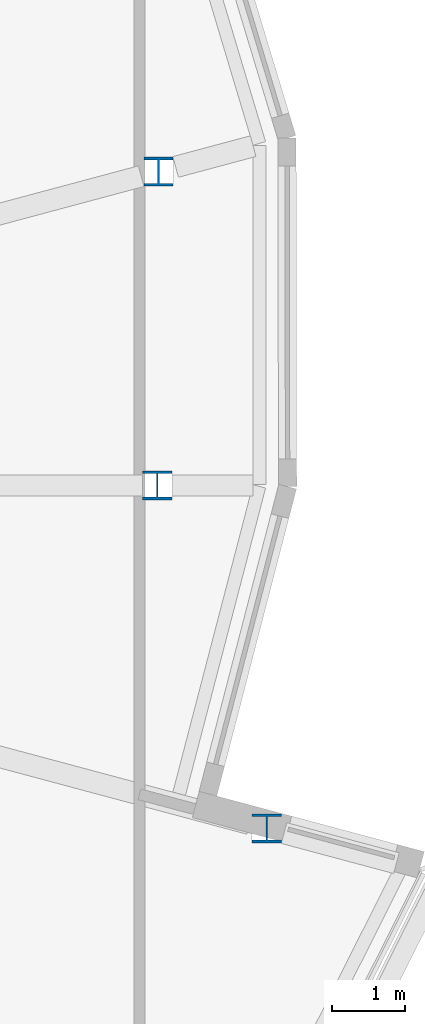
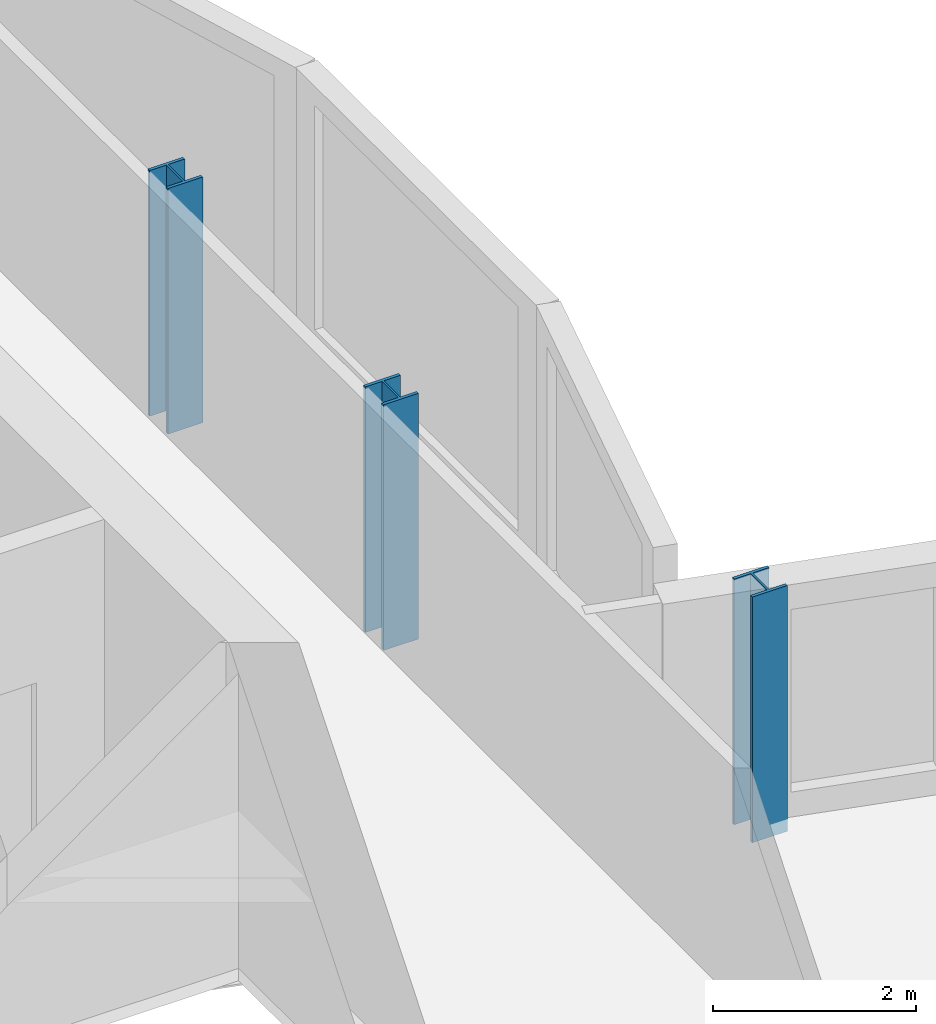
# One storey, part 2 of 37: 3 columns.
"""IFC4 building model written with IfcOpenShell, lengths in metres."""

from ifc_helpers import new_model, si_unit, direction, frame, origin, origin_2d, place, context, subcontext, project, spatial, i_section, extrude, material, material_profile, profile_set, type_object, element, save


model = new_model("IFC4")

# Units and contexts
model_context = context("Model", 3, precision=1e-05, world=origin(), true_north=direction((0.0, 1.0)))
body_context = subcontext(model_context, "Body", "Model", "MODEL_VIEW")
ifc_project = project(units=[si_unit("LENGTHUNIT", "METRE"), si_unit("AREAUNIT", "SQUARE_METRE"), si_unit("VOLUMEUNIT", "CUBIC_METRE"), si_unit("PLANEANGLEUNIT", "RADIAN"), si_unit("MASSUNIT", "GRAM", prefix="KILO")], contexts=[model_context])

# Site, building, storey
site_placement = place(None, origin())
site = spatial("IfcSite", under=ifc_project, at=site_placement, CompositionType="ELEMENT")
building_placement = place(site_placement, origin())
building = spatial("IfcBuilding", under=site, at=building_placement, Name="Rimbun Link Towers", CompositionType="ELEMENT")
storey_placement = place(building_placement, frame((0.0, 0.0, 177.89990234375)))
storey = spatial("IfcBuildingStorey", under=building, at=storey_placement, Name="L43", CompositionType="ELEMENT", Elevation=177.89990234375)

# Columns
ifc_material = material(Name="Steel S355J2", Category="steel")
ifc_material_profile = material_profile(ifc_material, i_section(OverallWidth=0.39892578125, OverallDepth=0.3935546875, WebThickness=0.022705078125, FlangeThickness=0.03662109375, at=origin_2d()), Name="UC 356x406x287")
ifc_profile_set = profile_set([ifc_material_profile], Name="Steel S355J2")
column_type = type_object("IfcColumnType", Name="UC 356x406x287", PredefinedType="COLUMN", material=ifc_profile_set)
for number, where, z_axis, x_axis, name in (
    (1, (49.223876953125, -4.68212890625, -0.14990234375), (0.0, 0.0, 1.0), (1.0, 0.0, 0.0), "Crease post T2 L43 20"),
    (2, (47.727783203125, 0.0, -0.14990234375), (0.0, 0.0, 1.0), (1.0, 0.0, 0.0), "Crease post T2 L43 21"),
    (3, (47.744384765625, 4.28564453125, -0.14990234375), (0.0, 0.0, 1.0), (1.0, 0.0, 0.0), "Crease post T2 L43 22"),
):
    element("IfcColumn", number, at=place(storey_placement, frame(where, z_axis=z_axis, x_axis=x_axis)), inside=storey, type_object=column_type, Name=name, PredefinedType="COLUMN", context=body_context, shape_type="SweptSolid", body=[
        extrude(i_section(OverallWidth=0.39892578125, OverallDepth=0.3935546875, WebThickness=0.022705078125, FlangeThickness=0.03662109375, at=origin_2d()), origin(), (0.0, 0.0, 1.0), 2.959228515625),
    ])

save(model, "model.ifc")
